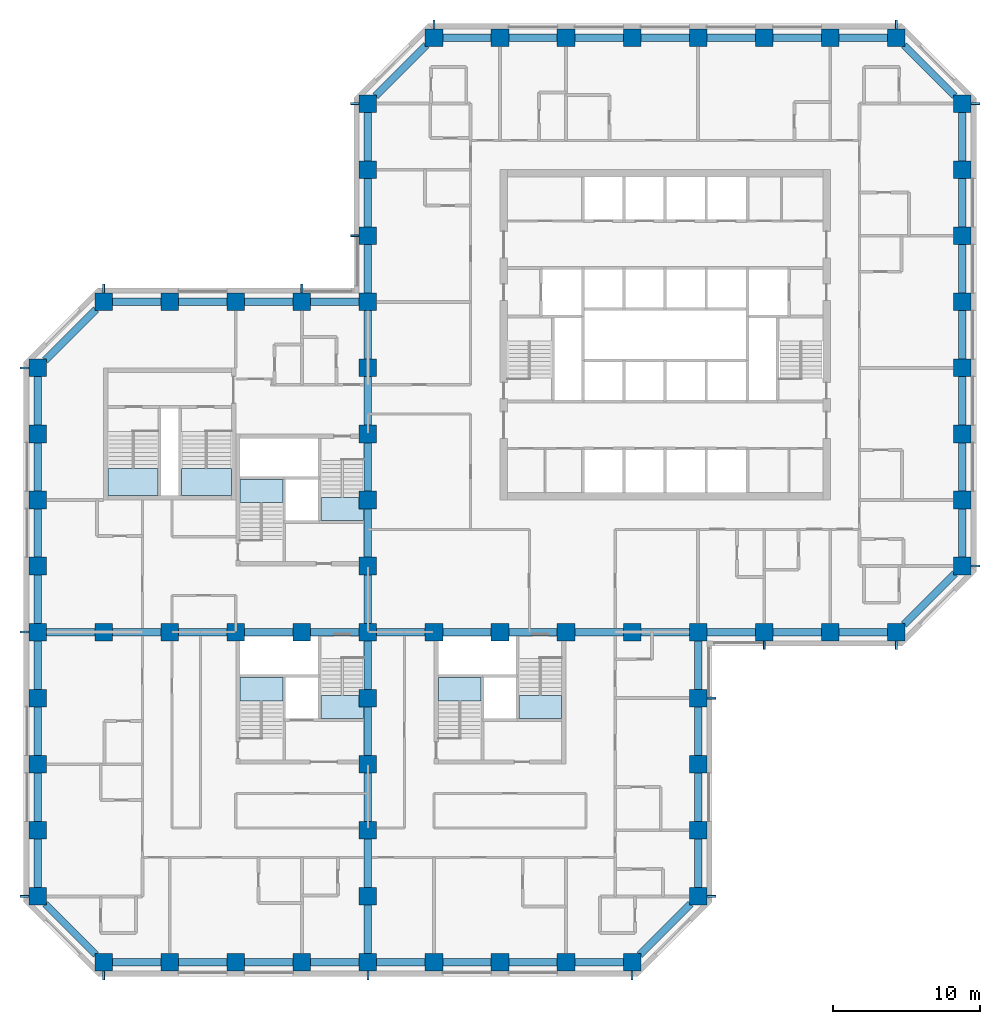
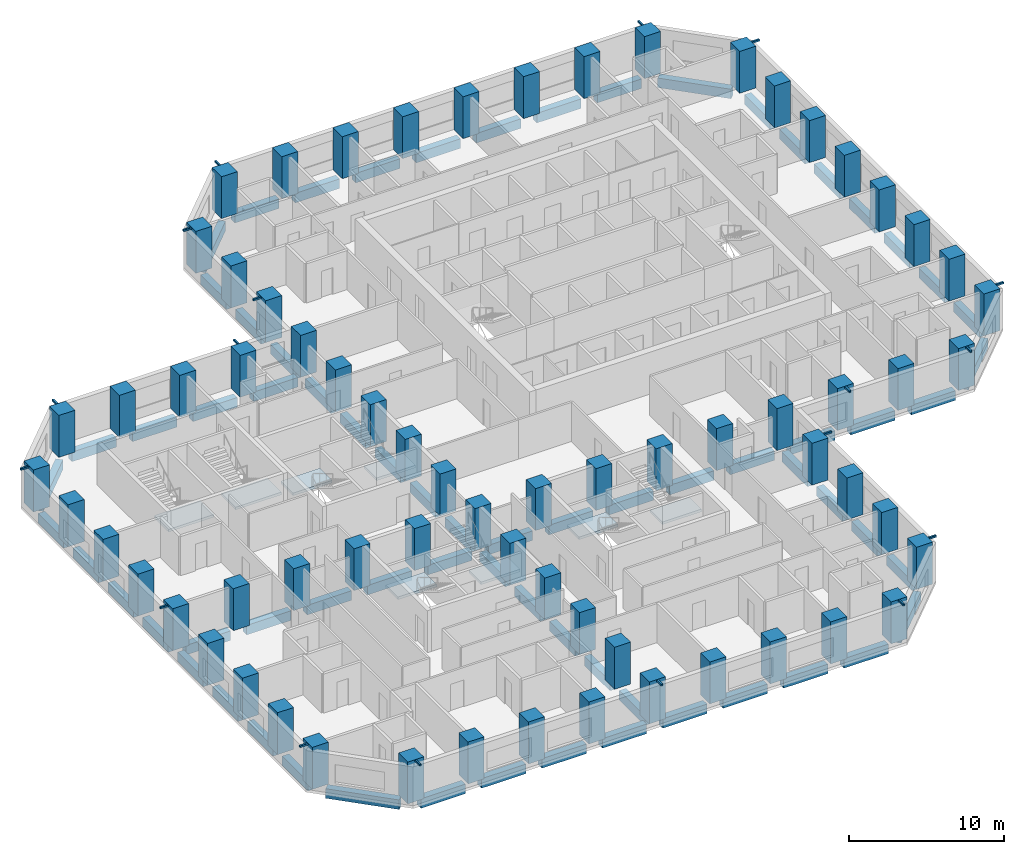
# One storey, part 1 of 13: 88 beams, 67 columns, 8 slabs, 8 elements without a shape of their own.
"""IFC4 building model written with IfcOpenShell, lengths in metres."""

import ifcopenshell
import ifcopenshell.guid

model = None  # the IFC model being written
_history = None  # IfcOwnerHistory: only IFC2X3 demands one
_inside = {}  # id of a spatial element -> (the spatial element, [elements in it])
_under = {}  # id of a project, library or spatial element -> (it, [spatial elements below it])
_declared = {}  # id of a project -> (the project, [libraries it declares])
_typed = {}  # id of a type object -> (the type object, [elements of that type])
_made_of = {}  # id of a material, layer set ... -> (it, [elements and type objects made of it])


def new_model(schema):
    """Start an empty IFC model of exactly this schema.

    Asked for "IFC4X3", IfcOpenShell would pick the latest addendum, in which some entities
    have other attributes; the version numbers below select the first issue.
    IFC2X3 requires an IfcOwnerHistory on every rooted entity: one is made here for all.
    """
    global model, _history
    if schema == "IFC4X3":
        model = ifcopenshell.file(schema_version=(4, 3, 0, 0))
    else:
        model = ifcopenshell.file(schema=schema)
    _inside.clear()
    _under.clear()
    _declared.clear()
    _typed.clear()
    _made_of.clear()
    _history = None
    if model.schema == "IFC2X3":
        org = make("IfcOrganization", Name="unknown")
        user = make(
            "IfcPersonAndOrganization",
            ThePerson=make("IfcPerson", FamilyName="unknown"),
            TheOrganization=org,
        )
        app = make(
            "IfcApplication",
            ApplicationDeveloper=org,
            Version="unknown",
            ApplicationFullName="unknown",
            ApplicationIdentifier="unknown",
        )
        _history = make(
            "IfcOwnerHistory",
            OwningUser=user,
            OwningApplication=app,
            ChangeAction="ADDED",
            CreationDate=0,
        )
    return model


def make(cls, **values):
    """One entity of the class cls with the attributes given. An attribute that is None is left unset."""
    return model.create_entity(
        cls, **{name: value for name, value in values.items() if value is not None}
    )


def rooted(cls, **values):
    """An entity with a GlobalId (a new one), such as an element, a storey or a relation."""
    return make(cls, GlobalId=ifcopenshell.guid.new(), OwnerHistory=_history, **values)


def si_unit(unit_type, name, prefix=None):
    """IfcSIUnit, for example si_unit("LENGTHUNIT", "METRE", prefix="MILLI")."""
    return make("IfcSIUnit", UnitType=unit_type, Prefix=prefix, Name=name)


def assignment(units):
    """IfcUnitAssignment: the units of a project."""
    return None if units is None else make("IfcUnitAssignment", Units=units)


def point(xyz):
    """IfcCartesianPoint."""
    return None if xyz is None else make("IfcCartesianPoint", Coordinates=xyz)


def direction(xyz):
    """IfcDirection."""
    return None if xyz is None else make("IfcDirection", DirectionRatios=xyz)


def frame(location, z_axis=None, x_axis=None):
    """IfcAxis2Placement3D, a coordinate frame: its origin and axes. An axis left out is left unset."""
    return make(
        "IfcAxis2Placement3D",
        Location=point(location),
        Axis=direction(z_axis),
        RefDirection=direction(x_axis),
    )


def frame_2d(location, x_axis=None):
    """IfcAxis2Placement2D, a coordinate frame in the plane: its origin and x axis."""
    return make(
        "IfcAxis2Placement2D", Location=point(location), RefDirection=direction(x_axis)
    )


def origin():
    """The frame at (0, 0, 0) with its axes left unset."""
    return frame((0.0, 0.0, 0.0))


def origin_2d():
    """The frame at (0, 0) in the plane with its x axis left unset."""
    return frame_2d((0.0, 0.0))


def place(relative_to, where):
    """IfcLocalPlacement: puts the frame where relative to a parent placement (None: the world)."""
    return make(
        "IfcLocalPlacement", PlacementRelTo=relative_to, RelativePlacement=where
    )


def context(
    kind, dimensions, precision=None, world=None, true_north=None, identifier=None
):
    """IfcGeometricRepresentationContext, for example the 3D "Model" context."""
    return make(
        "IfcGeometricRepresentationContext",
        ContextIdentifier=identifier,
        ContextType=kind,
        CoordinateSpaceDimension=dimensions,
        Precision=precision,
        WorldCoordinateSystem=world,
        TrueNorth=true_north,
    )


def subcontext(parent, identifier, kind, view, scale=None):
    """IfcGeometricRepresentationSubContext, for example "Body" below "Model"."""
    return make(
        "IfcGeometricRepresentationSubContext",
        ContextIdentifier=identifier,
        ContextType=kind,
        ParentContext=parent,
        TargetScale=scale,
        TargetView=view,
    )


def project(units=None, contexts=None):
    """IfcProject with its units and contexts."""
    return rooted(
        "IfcProject",
        Name="project",
        RepresentationContexts=contexts,
        UnitsInContext=assignment(units),
    )


def spatial(cls, under=None, at=None, **own):
    """A site, building, storey or space (cls), placed at a placement, below another one or the project."""
    s = rooted(cls, ObjectPlacement=at, **own)
    if under is not None:
        _under.setdefault(under.id(), (under, []))[1].append(s)
    return s


def polyline(points):
    """IfcPolyline through the points."""
    return make("IfcPolyline", Points=[point(p) for p in points])


def profile(cls, at=None, kind="AREA", **sizes):
    """A parametric profile (cls). Its sizes go by their IFC names, for example OverallWidth=200.0."""
    return make(cls, ProfileType=kind, Position=at, **sizes)


def rectangle(**sizes):
    """IfcRectangleProfileDef."""
    return profile("IfcRectangleProfileDef", **sizes)


def hollow_rectangle(**sizes):
    """IfcRectangleHollowProfileDef."""
    return profile("IfcRectangleHollowProfileDef", **sizes)


def outline(outer, holes=None, kind="AREA"):
    """IfcArbitraryClosedProfileDef: a profile drawn as a closed curve; with holes, ...WithVoids."""
    if holes is None:
        return make("IfcArbitraryClosedProfileDef", ProfileType=kind, OuterCurve=outer)
    return make(
        "IfcArbitraryProfileDefWithVoids",
        ProfileType=kind,
        OuterCurve=outer,
        InnerCurves=holes,
    )


def extrude(swept, where, along, depth):
    """IfcExtrudedAreaSolid: the profile swept, set in the frame where, extruded along a direction by depth."""
    return make(
        "IfcExtrudedAreaSolid",
        SweptArea=swept,
        Position=where,
        ExtrudedDirection=direction(along),
        Depth=depth,
    )


def shape(context_of_items, identifier, shape_type, items):
    """IfcShapeRepresentation: the items that make up one representation, for example the "Body"."""
    return make(
        "IfcShapeRepresentation",
        ContextOfItems=context_of_items,
        RepresentationIdentifier=identifier,
        RepresentationType=shape_type,
        Items=items,
    )


def material(Name=None, Category=None):
    """IfcMaterial."""
    return make("IfcMaterial", Name=Name, Category=Category)


def layer(
    of_material, thickness, ventilated=None, Name=None, Category=None, Priority=None
):
    """IfcMaterialLayer: one layer of a wall or slab, of a material (None: an air gap)."""
    return make(
        "IfcMaterialLayer",
        Material=of_material,
        LayerThickness=thickness,
        IsVentilated=ventilated,
        Name=Name,
        Category=Category,
        Priority=Priority,
    )


def layer_set(layers, Name=None):
    """IfcMaterialLayerSet."""
    return make("IfcMaterialLayerSet", MaterialLayers=layers, LayerSetName=Name)


def material_profile(
    of_material, cross_section, Name=None, Category=None, Priority=None
):
    """IfcMaterialProfile: a cross section and its material."""
    return make(
        "IfcMaterialProfile",
        Name=Name,
        Material=of_material,
        Profile=cross_section,
        Priority=Priority,
        Category=Category,
    )


def profile_set(profiles, Name=None, composite=None):
    """IfcMaterialProfileSet."""
    return make(
        "IfcMaterialProfileSet",
        Name=Name,
        MaterialProfiles=profiles,
        CompositeProfile=composite,
    )


def made_of(thing, what):
    """Note that an element or type object is made of a material, layer set ...; save() writes the relation."""
    if what is not None:
        _made_of.setdefault(what.id(), (what, []))[1].append(thing)
    return thing


def type_object(cls, material=None, **own):
    """A type object (cls), such as IfcWallType, which elements share."""
    return made_of(rooted(cls, **own), material)


def element(
    cls,
    number,
    at=None,
    inside=None,
    cuts=None,
    type_object=None,
    material=None,
    context=None,
    identifier="Body",
    shape_type=None,
    held_by="IfcProductDefinitionShape",
    body=None,
    shapes=None,
    **own,
):
    """One element of the class cls, such as IfcWall. Its Tag is "e" and its number.

    at: its placement. inside: the storey or other place that contains it. cuts: it is an
    opening in that element (IfcRelVoidsElement). A single representation is given by context,
    identifier, shape_type and body (its items); several are given by shapes. held_by: the class
    of the entity that holds the representations. save() writes the other relations.
    """
    e = rooted(cls, Tag="e%d" % number, ObjectPlacement=at, **own)
    if body is not None:
        shapes = [shape(context, identifier, shape_type, body)]
    if shapes is not None:
        e.Representation = make(held_by, Representations=shapes)
    if inside is not None:
        _inside.setdefault(inside.id(), (inside, []))[1].append(e)
    if cuts is not None:
        rooted(
            "IfcRelVoidsElement", RelatingBuildingElement=cuts, RelatedOpeningElement=e
        )
    if type_object is not None:
        _typed.setdefault(type_object.id(), (type_object, []))[1].append(e)
    return made_of(e, material)


def aggregate(whole, parts):
    """IfcRelAggregates: a whole, such as a stair, and the parts it consists of."""
    return rooted("IfcRelAggregates", RelatingObject=whole, RelatedObjects=parts)


def save(model, path):
    """Write the relations noted so far, then the file.

    IfcRelAggregates (storeys below a building ...), IfcRelContainedInSpatialStructure (elements
    in a storey), IfcRelDefinesByType, IfcRelAssociatesMaterial and IfcRelDeclares: one each for
    every whole, place, type object, material and project.
    """
    for whole, parts in _under.values():
        aggregate(whole, parts)
    for where, things in _inside.values():
        rooted(
            "IfcRelContainedInSpatialStructure",
            RelatedElements=things,
            RelatingStructure=where,
        )
    for kind, things in _typed.values():
        rooted("IfcRelDefinesByType", RelatedObjects=things, RelatingType=kind)
    for what, things in _made_of.values():
        rooted("IfcRelAssociatesMaterial", RelatedObjects=things, RelatingMaterial=what)
    for by, libraries in _declared.values():
        rooted("IfcRelDeclares", RelatingContext=by, RelatedDefinitions=libraries)
    model.write(path)


model = new_model("IFC4")

# Units and contexts
model_context = context("Model", 3, precision=1e-05, world=origin(), true_north=direction((0.0, 1.0)))
body_context = subcontext(model_context, "Body", "Model", "MODEL_VIEW")
ifc_project = project(units=[si_unit("LENGTHUNIT", "METRE"), si_unit("AREAUNIT", "SQUARE_METRE"), si_unit("VOLUMEUNIT", "CUBIC_METRE"), si_unit("PLANEANGLEUNIT", "RADIAN"), si_unit("MASSUNIT", "GRAM", prefix="KILO")], contexts=[model_context])

# Site, building, storey
site_placement = place(None, origin())
site = spatial("IfcSite", under=ifc_project, at=site_placement, CompositionType="ELEMENT")
building_placement = place(site_placement, origin())
building = spatial("IfcBuilding", under=site, at=building_placement, Name="Quoin Convention Tower", CompositionType="ELEMENT")
storey_placement = place(building_placement, frame((0.0, 0.0, 62.699951171875)))
storey = spatial("IfcBuildingStorey", under=building, at=storey_placement, Name="L16", CompositionType="ELEMENT", Elevation=62.699951171875)

# Columns
ifc_material_1 = material(Name="Concrete C80", Category="concrete")
ifc_material_profile_1 = material_profile(ifc_material_1, rectangle(XDim=1.199951171875, YDim=1.199951171875, at=origin_2d()), Name="RC 1200x1200")
ifc_profile_set_1 = profile_set([ifc_material_profile_1], Name="Concrete C80")
column_type = type_object("IfcColumnType", Name="RC 1200x1200 C80", PredefinedType="COLUMN", material=ifc_profile_set_1)
for number, where, z_axis, x_axis, name in (
    (1, (18.0, 18.0, 0.0), (0.0, 0.0, 1.0), (1.0, 0.0, 0.0), "col-L16-18000_18000"),
    (2, (22.5, 18.0, 0.0), (0.0, 0.0, 1.0), (1.0, 0.0, 0.0), "col-L16-22500_18000"),
    (3, (27.0, 18.0, 0.0), (0.0, 0.0, 1.0), (1.0, 0.0, 0.0), "col-L16-27000_18000"),
    (4, (31.5, 18.0, 0.0), (0.0, 0.0, 1.0), (1.0, 0.0, 0.0), "col-L16-31500_18000"),
    (5, (36.0, 18.0, 0.0), (0.0, 0.0, 1.0), (1.0, 0.0, 0.0), "col-L16-36000_18000"),
    (6, (40.5, 18.0, 0.0), (0.0, 0.0, 1.0), (1.0, 0.0, 0.0), "col-L16-40500_18000"),
    (7, (45.0, 18.0, 0.0), (0.0, 0.0, 1.0), (1.0, 0.0, 0.0), "col-L16-45000_18000"),
    (8, (49.5, 18.0, 0.0), (0.0, 0.0, 1.0), (1.0, 0.0, 0.0), "col-L16-49500_18000"),
    (9, (54.0, 18.0, 0.0), (0.0, 0.0, 1.0), (1.0, 0.0, 0.0), "col-L16-54000_18000"),
    (10, (13.5, 22.5, 0.0), (0.0, 0.0, 1.0), (1.0, 0.0, 0.0), "col-L16-13500_22500"),
    (11, (36.0, 22.5, 0.0), (0.0, 0.0, 1.0), (1.0, 0.0, 0.0), "web-L16-36000_22500"),
    (12, (58.5, 22.5, 0.0), (0.0, 0.0, 1.0), (1.0, 0.0, 0.0), "col-L16-58500_22500"),
    (13, (13.5, 27.0, 0.0), (0.0, 0.0, 1.0), (1.0, 0.0, 0.0), "col-L16-13500_27000"),
    (14, (36.0, 27.0, 0.0), (0.0, 0.0, 1.0), (1.0, 0.0, 0.0), "web-L16-36000_27000"),
    (15, (58.5, 27.0, 0.0), (0.0, 0.0, 1.0), (1.0, 0.0, 0.0), "col-L16-58500_27000"),
    (16, (13.5, 31.5, 0.0), (0.0, 0.0, 1.0), (1.0, 0.0, 0.0), "col-L16-13500_31500"),
    (17, (36.0, 31.5, 0.0), (0.0, 0.0, 1.0), (1.0, 0.0, 0.0), "web-L16-36000_31500"),
    (18, (58.5, 31.5, 0.0), (0.0, 0.0, 1.0), (1.0, 0.0, 0.0), "col-L16-58500_31500"),
    (19, (13.5, 36.0, 0.0), (0.0, 0.0, 1.0), (1.0, 0.0, 0.0), "col-L16-13500_36000"),
    (20, (36.0, 36.0, 0.0), (0.0, 0.0, 1.0), (1.0, 0.0, 0.0), "web-L16-36000_36000"),
    (21, (58.5, 36.0, 0.0), (0.0, 0.0, 1.0), (1.0, 0.0, 0.0), "col-L16-58500_36000"),
    (22, (13.5, 40.5, 0.0), (0.0, 0.0, 1.0), (1.0, 0.0, 0.0), "col-L16-13500_40500"),
    (23, (18.0, 40.5, 0.0), (0.0, 0.0, 1.0), (1.0, 0.0, 0.0), "web-L16-18000_40500"),
    (24, (22.5, 40.5, 0.0), (0.0, 0.0, 1.0), (1.0, 0.0, 0.0), "web-L16-22500_40500"),
    (25, (27.0, 40.5, 0.0), (0.0, 0.0, 1.0), (1.0, 0.0, 0.0), "web-L16-27000_40500"),
    (26, (31.5, 40.5, 0.0), (0.0, 0.0, 1.0), (1.0, 0.0, 0.0), "web-L16-31500_40500"),
    (27, (36.0, 40.5, 0.0), (0.0, 0.0, 1.0), (1.0, 0.0, 0.0), "web-L16-36000_40500"),
    (28, (40.5, 40.5, 0.0), (0.0, 0.0, 1.0), (1.0, 0.0, 0.0), "web-L16-40500_40500"),
    (29, (45.0, 40.5, 0.0), (0.0, 0.0, 1.0), (1.0, 0.0, 0.0), "web-L16-45000_40500"),
    (30, (49.5, 40.5, 0.0), (0.0, 0.0, 1.0), (1.0, 0.0, 0.0), "web-L16-49500_40500"),
    (31, (54.0, 40.5, 0.0), (0.0, 0.0, 1.0), (1.0, 0.0, 0.0), "web-L16-54000_40500"),
    (32, (58.5, 40.5, 0.0), (0.0, 0.0, 1.0), (1.0, 0.0, 0.0), "col-L16-58500_40500"),
    (33, (63.0, 40.5, 0.0), (0.0, 0.0, 1.0), (1.0, 0.0, 0.0), "col-L16-63000_40500"),
    (34, (67.5, 40.5, 0.0), (0.0, 0.0, 1.0), (1.0, 0.0, 0.0), "col-L16-67500_40500"),
    (35, (72.0, 40.5, 0.0), (0.0, 0.0, 1.0), (1.0, 0.0, 0.0), "col-L16-72000_40500"),
    (36, (13.5, 45.0, 0.0), (0.0, 0.0, 1.0), (1.0, 0.0, 0.0), "col-L16-13500_45000"),
    (37, (36.0, 45.0, 0.0), (0.0, 0.0, 1.0), (1.0, 0.0, 0.0), "web-L16-36000_45000"),
    (38, (76.5, 45.0, 0.0), (0.0, 0.0, 1.0), (1.0, 0.0, 0.0), "col-L16-76500_45000"),
    (39, (13.5, 49.5, 0.0), (0.0, 0.0, 1.0), (1.0, 0.0, 0.0), "col-L16-13500_49500"),
    (40, (36.0, 49.5, 0.0), (0.0, 0.0, 1.0), (1.0, 0.0, 0.0), "web-L16-36000_49500"),
    (41, (76.5, 49.5, 0.0), (0.0, 0.0, 1.0), (1.0, 0.0, 0.0), "col-L16-76500_49500"),
    (42, (13.5, 54.0, 0.0), (0.0, 0.0, 1.0), (1.0, 0.0, 0.0), "col-L16-13500_54000"),
    (43, (36.0, 54.0, 0.0), (0.0, 0.0, 1.0), (1.0, 0.0, 0.0), "web-L16-36000_54000"),
    (44, (76.5, 54.0, 0.0), (0.0, 0.0, 1.0), (1.0, 0.0, 0.0), "col-L16-76500_54000"),
    (45, (13.5, 58.5, 0.0), (0.0, 0.0, 1.0), (1.0, 0.0, 0.0), "col-L16-13500_58500"),
    (46, (36.0, 58.5, 0.0), (0.0, 0.0, 1.0), (1.0, 0.0, 0.0), "web-L16-36000_58500"),
    (47, (76.5, 58.5, 0.0), (0.0, 0.0, 1.0), (1.0, 0.0, 0.0), "col-L16-76500_58500"),
    (48, (18.0, 63.0, 0.0), (0.0, 0.0, 1.0), (1.0, 0.0, 0.0), "col-L16-18000_63000"),
    (49, (22.5, 63.0, 0.0), (0.0, 0.0, 1.0), (1.0, 0.0, 0.0), "col-L16-22500_63000"),
    (50, (27.0, 63.0, 0.0), (0.0, 0.0, 1.0), (1.0, 0.0, 0.0), "col-L16-27000_63000"),
    (51, (31.5, 63.0, 0.0), (0.0, 0.0, 1.0), (1.0, 0.0, 0.0), "col-L16-31500_63000"),
    (52, (36.0, 63.0, 0.0), (0.0, 0.0, 1.0), (1.0, 0.0, 0.0), "col-L16-36000_63000"),
    (53, (76.5, 63.0, 0.0), (0.0, 0.0, 1.0), (1.0, 0.0, 0.0), "col-L16-76500_63000"),
    (54, (36.0, 67.5, 0.0), (0.0, 0.0, 1.0), (1.0, 0.0, 0.0), "col-L16-36000_67500"),
    (55, (76.5, 67.5, 0.0), (0.0, 0.0, 1.0), (1.0, 0.0, 0.0), "col-L16-76500_67500"),
    (56, (36.0, 72.0, 0.0), (0.0, 0.0, 1.0), (1.0, 0.0, 0.0), "col-L16-36000_72000"),
    (57, (76.5, 72.0, 0.0), (0.0, 0.0, 1.0), (1.0, 0.0, 0.0), "col-L16-76500_72000"),
    (58, (36.0, 76.5, 0.0), (0.0, 0.0, 1.0), (1.0, 0.0, 0.0), "col-L16-36000_76500"),
    (59, (76.5, 76.5, 0.0), (0.0, 0.0, 1.0), (1.0, 0.0, 0.0), "col-L16-76500_76500"),
    (60, (40.5, 81.0, 0.0), (0.0, 0.0, 1.0), (1.0, 0.0, 0.0), "col-L16-40500_81000"),
    (61, (45.0, 81.0, 0.0), (0.0, 0.0, 1.0), (1.0, 0.0, 0.0), "col-L16-45000_81000"),
    (62, (49.5, 81.0, 0.0), (0.0, 0.0, 1.0), (1.0, 0.0, 0.0), "col-L16-49500_81000"),
    (63, (54.0, 81.0, 0.0), (0.0, 0.0, 1.0), (1.0, 0.0, 0.0), "col-L16-54000_81000"),
    (64, (58.5, 81.0, 0.0), (0.0, 0.0, 1.0), (1.0, 0.0, 0.0), "col-L16-58500_81000"),
    (65, (63.0, 81.0, 0.0), (0.0, 0.0, 1.0), (1.0, 0.0, 0.0), "col-L16-63000_81000"),
    (66, (67.5, 81.0, 0.0), (0.0, 0.0, 1.0), (1.0, 0.0, 0.0), "col-L16-67500_81000"),
    (67, (72.0, 81.0, 0.0), (0.0, 0.0, 1.0), (1.0, 0.0, 0.0), "col-L16-72000_81000"),
):
    element("IfcColumn", number, at=place(storey_placement, frame(where, z_axis=z_axis, x_axis=x_axis)), inside=storey, type_object=column_type, Name=name, PredefinedType="COLUMN", context=body_context, shape_type="SweptSolid", body=[
        extrude(rectangle(XDim=1.199951171875, YDim=1.199951171875, at=origin_2d()), origin(), (0.0, 0.0, 1.0), 3.300048828125),
    ])

# Beams
ifc_material_2 = material(Name="Steel C450L0", Category="steel")
ifc_material_profile_2 = material_profile(ifc_material_2, hollow_rectangle(XDim=0.14990234375, YDim=0.14990234375, WallThickness=0.008056640625, InnerFilletRadius=0.011962890625, OuterFilletRadius=0.02001953125, at=origin_2d()), Name="150x150x8.0SHS")
ifc_profile_set_2 = profile_set([ifc_material_profile_2], Name="Steel C450L0")
beam_type_1 = type_object("IfcBeamType", Name="150x150x8.0SHS", PredefinedType="BEAM", material=ifc_profile_set_2)
for number, where, z_axis, x_axis, name in (
    (68, (12.89990234375, 40.5, 3.22509765625), (-1.0, 0.0, 0.0), (0.0, -1.0, 0.0), "brk-hi-L13-13500_40500-13500_36000"),
    (69, (12.89990234375, 22.5, 3.22509765625), (-1.0, 0.0, 0.0), (0.0, -1.0, 0.0), "brk-hi-L13-13500_27000-13500_22500"),
    (70, (12.89990234375, 58.5, 3.22509765625), (-1.0, 0.0, 0.0), (0.0, -1.0, 0.0), "brk-hi-L13-13500_58500-13500_54000"),
    (71, (18.0, 17.39990234375, 3.22509765625), (0.0, -1.0, 0.0), (1.0, 0.0, 0.0), "brk-hi-L13-18000_18000-22500_18000"),
    (72, (36.0, 17.39990234375, 3.22509765625), (0.0, -1.0, 0.0), (1.0, 0.0, 0.0), "brk-hi-L13-31500_18000-36000_18000"),
    (73, (54.0, 17.39990234375, 3.22509765625), (0.0, -1.0, 0.0), (1.0, 0.0, 0.0), "brk-hi-L13-49500_18000-54000_18000"),
    (74, (31.5, 63.60009765625, 3.22509765625), (0.0, 1.0, 0.0), (-1.0, 0.0, 0.0), "brk-hi-L13-31500_63000-27000_63000"),
    (75, (18.0, 63.60009765625, 3.22509765625), (0.0, 1.0, 0.0), (-1.0, 0.0, 0.0), "brk-hi-L13-22500_63000-18000_63000"),
    (76, (35.39990234375, 76.5, 3.22509765625), (-1.0, 0.0, 0.0), (0.0, -1.0, 0.0), "brk-hi-L13-36000_76500-36000_72000"),
    (77, (35.39990234375, 67.5, 3.22509765625), (-1.0, 0.0, 0.0), (0.0, -1.0, 0.0), "brk-hi-L13-36000_72000-36000_67500"),
    (78, (59.10009765625, 22.5, 3.22509765625), (1.0, 0.0, 0.0), (0.0, 1.0, 0.0), "brk-hi-L13-58500_22500-58500_27000"),
    (79, (59.10009765625, 36.0, 3.22509765625), (1.0, 0.0, 0.0), (0.0, 1.0, 0.0), "brk-hi-L13-58500_31500-58500_36000"),
    (80, (63.0, 39.89990234375, 3.22509765625), (0.0, -1.0, 0.0), (1.0, 0.0, 0.0), "brk-hi-L13-63000_40500-67500_40500"),
    (81, (72.0, 39.89990234375, 3.22509765625), (0.0, -1.0, 0.0), (1.0, 0.0, 0.0), "brk-hi-L13-67500_40500-72000_40500"),
    (82, (72.0, 81.60009765625, 3.22509765625), (0.0, 1.0, 0.0), (-1.0, 0.0, 0.0), "brk-hi-L13-72000_81000-67500_81000"),
    (83, (40.5, 81.60009765625, 3.22509765625), (0.0, 1.0, 0.0), (-1.0, 0.0, 0.0), "brk-hi-L13-45000_81000-40500_81000"),
    (84, (77.10009765625, 45.0, 3.22509765625), (1.0, 0.0, 0.0), (0.0, 1.0, 0.0), "brk-hi-L13-76500_45000-76500_49500"),
    (85, (77.10009765625, 76.5, 3.22509765625), (1.0, 0.0, 0.0), (0.0, 1.0, 0.0), "brk-hi-L13-76500_72000-76500_76500"),
):
    element("IfcBeam", number, at=place(storey_placement, frame(where, z_axis=z_axis, x_axis=x_axis)), inside=storey, type_object=beam_type_1, Name=name, PredefinedType="BEAM", context=body_context, shape_type="SweptSolid", body=[
        extrude(hollow_rectangle(XDim=0.14990234375, YDim=0.14990234375, WallThickness=0.008056640625, InnerFilletRadius=0.011962890625, OuterFilletRadius=0.02001953125, at=origin_2d()), origin(), (0.0, 0.0, 1.0), 0.599853515625),
    ])
ifc_material_profile_3 = material_profile(ifc_material_1, rectangle(XDim=0.5, YDim=0.75, at=origin_2d()), Name="RC 500x750")
ifc_profile_set_3 = profile_set([ifc_material_profile_3], Name="Concrete C80")
beam_type_2 = type_object("IfcBeamType", Name="RC 500x750 C80", PredefinedType="SPANDREL", material=ifc_profile_set_3)
beam_1_placement = place(storey_placement, frame((14.01513671875, 21.98486328125, -0.594970703125), z_axis=(0.707106781187, -0.707106781187, 0.0), x_axis=(0.707106781187, 0.707106781187, 0.0)))
element("IfcBeam", 86, at=beam_1_placement, inside=storey, type_object=beam_type_2, Name="spd-L16-13500_22500-18000_18000", PredefinedType="SPANDREL", context=body_context, shape_type="SweptSolid", body=[
    extrude(rectangle(XDim=0.5, YDim=0.75, at=origin_2d()), origin(), (0.0, 0.0, 1.0), 4.906982421875),
])
for number, where, z_axis, x_axis, name in (
    (87, (18.60009765625, 18.0, -0.594970703125), (1.0, 0.0, 0.0), (0.0, 1.0, 0.0), "spd-L16-18000_18000-22500_18000"),
    (88, (23.10009765625, 18.0, -0.594970703125), (1.0, 0.0, 0.0), (0.0, 1.0, 0.0), "spd-L16-22500_18000-27000_18000"),
    (89, (27.60009765625, 18.0, -0.594970703125), (1.0, 0.0, 0.0), (0.0, 1.0, 0.0), "spd-L16-27000_18000-31500_18000"),
    (90, (32.10009765625, 18.0, -0.594970703125), (1.0, 0.0, 0.0), (0.0, 1.0, 0.0), "spd-L16-31500_18000-36000_18000"),
    (91, (36.60009765625, 18.0, -0.594970703125), (1.0, 0.0, 0.0), (0.0, 1.0, 0.0), "spd-L16-36000_18000-40500_18000"),
    (92, (41.10009765625, 18.0, -0.594970703125), (1.0, 0.0, 0.0), (0.0, 1.0, 0.0), "spd-L16-40500_18000-45000_18000"),
    (93, (45.60009765625, 18.0, -0.594970703125), (1.0, 0.0, 0.0), (0.0, 1.0, 0.0), "spd-L16-45000_18000-49500_18000"),
    (94, (50.10009765625, 18.0, -0.594970703125), (1.0, 0.0, 0.0), (0.0, 1.0, 0.0), "spd-L16-49500_18000-54000_18000"),
):
    element("IfcBeam", number, at=place(storey_placement, frame(where, z_axis=z_axis, x_axis=x_axis)), inside=storey, type_object=beam_type_2, Name=name, PredefinedType="SPANDREL", context=body_context, shape_type="SweptSolid", body=[
        extrude(rectangle(XDim=0.5, YDim=0.75, at=origin_2d()), origin(), (0.0, 0.0, 1.0), 3.2998046875),
    ])
beam_2_placement = place(storey_placement, frame((54.51513671875, 18.51513671875, -0.594970703125), z_axis=(0.707106781187, 0.707106781187, 0.0), x_axis=(-0.707106781187, 0.707106781187, 0.0)))
element("IfcBeam", 95, at=beam_2_placement, inside=storey, type_object=beam_type_2, Name="spd-L16-54000_18000-58500_22500", PredefinedType="SPANDREL", context=body_context, shape_type="SweptSolid", body=[
    extrude(rectangle(XDim=0.5, YDim=0.75, at=origin_2d()), origin(), (0.0, 0.0, 1.0), 4.906982421875),
])
for number, where, z_axis, x_axis, name in (
    (96, (58.5, 23.10009765625, -0.594970703125), (0.0, 1.0, 0.0), (-1.0, 0.0, 0.0), "spd-L16-58500_22500-58500_27000"),
    (97, (58.5, 27.60009765625, -0.594970703125), (0.0, 1.0, 0.0), (-1.0, 0.0, 0.0), "spd-L16-58500_27000-58500_31500"),
    (98, (58.5, 32.10009765625, -0.594970703125), (0.0, 1.0, 0.0), (-1.0, 0.0, 0.0), "spd-L16-58500_31500-58500_36000"),
    (99, (58.5, 36.60009765625, -0.594970703125), (0.0, 1.0, 0.0), (-1.0, 0.0, 0.0), "spd-L16-58500_36000-58500_40500"),
    (100, (59.10009765625, 40.5, -0.594970703125), (1.0, 0.0, 0.0), (0.0, 1.0, 0.0), "spd-L16-58500_40500-63000_40500"),
    (101, (63.60009765625, 40.5, -0.594970703125), (1.0, 0.0, 0.0), (0.0, 1.0, 0.0), "spd-L16-63000_40500-67500_40500"),
    (102, (68.10009765625, 40.5, -0.594970703125), (1.0, 0.0, 0.0), (0.0, 1.0, 0.0), "spd-L16-67500_40500-72000_40500"),
):
    element("IfcBeam", number, at=place(storey_placement, frame(where, z_axis=z_axis, x_axis=x_axis)), inside=storey, type_object=beam_type_2, Name=name, PredefinedType="SPANDREL", context=body_context, shape_type="SweptSolid", body=[
        extrude(rectangle(XDim=0.5, YDim=0.75, at=origin_2d()), origin(), (0.0, 0.0, 1.0), 3.2998046875),
    ])
beam_3_placement = place(storey_placement, frame((72.51513671875, 41.01513671875, -0.594970703125), z_axis=(0.707106781187, 0.707106781187, 0.0), x_axis=(-0.707106781187, 0.707106781187, 0.0)))
element("IfcBeam", 103, at=beam_3_placement, inside=storey, type_object=beam_type_2, Name="spd-L16-72000_40500-76500_45000", PredefinedType="SPANDREL", context=body_context, shape_type="SweptSolid", body=[
    extrude(rectangle(XDim=0.5, YDim=0.75, at=origin_2d()), origin(), (0.0, 0.0, 1.0), 4.906982421875),
])
for number, where, z_axis, x_axis, name in (
    (104, (76.5, 45.60009765625, -0.594970703125), (0.0, 1.0, 0.0), (-1.0, 0.0, 0.0), "spd-L16-76500_45000-76500_49500"),
    (105, (76.5, 50.10009765625, -0.594970703125), (0.0, 1.0, 0.0), (-1.0, 0.0, 0.0), "spd-L16-76500_49500-76500_54000"),
    (106, (76.5, 54.60009765625, -0.594970703125), (0.0, 1.0, 0.0), (-1.0, 0.0, 0.0), "spd-L16-76500_54000-76500_58500"),
    (107, (76.5, 59.10009765625, -0.594970703125), (0.0, 1.0, 0.0), (-1.0, 0.0, 0.0), "spd-L16-76500_58500-76500_63000"),
    (108, (76.5, 63.60009765625, -0.594970703125), (0.0, 1.0, 0.0), (-1.0, 0.0, 0.0), "spd-L16-76500_63000-76500_67500"),
    (109, (76.5, 68.10009765625, -0.594970703125), (0.0, 1.0, 0.0), (-1.0, 0.0, 0.0), "spd-L16-76500_67500-76500_72000"),
    (110, (76.5, 72.60009765625, -0.594970703125), (0.0, 1.0, 0.0), (-1.0, 0.0, 0.0), "spd-L16-76500_72000-76500_76500"),
):
    element("IfcBeam", number, at=place(storey_placement, frame(where, z_axis=z_axis, x_axis=x_axis)), inside=storey, type_object=beam_type_2, Name=name, PredefinedType="SPANDREL", context=body_context, shape_type="SweptSolid", body=[
        extrude(rectangle(XDim=0.5, YDim=0.75, at=origin_2d()), origin(), (0.0, 0.0, 1.0), 3.2998046875),
    ])
beam_4_placement = place(storey_placement, frame((75.98486328125, 77.01513671875, -0.594970703125), z_axis=(-0.707106781187, 0.707106781187, 0.0), x_axis=(-0.707106781187, -0.707106781187, 0.0)))
element("IfcBeam", 111, at=beam_4_placement, inside=storey, type_object=beam_type_2, Name="spd-L16-76500_76500-72000_81000", PredefinedType="SPANDREL", context=body_context, shape_type="SweptSolid", body=[
    extrude(rectangle(XDim=0.5, YDim=0.75, at=origin_2d()), origin(), (0.0, 0.0, 1.0), 4.906982421875),
])
for number, where, z_axis, x_axis, name in (
    (112, (71.39990234375, 81.0, -0.594970703125), (-1.0, 0.0, 0.0), (0.0, -1.0, 0.0), "spd-L16-72000_81000-67500_81000"),
    (113, (66.89990234375, 81.0, -0.594970703125), (-1.0, 0.0, 0.0), (0.0, -1.0, 0.0), "spd-L16-67500_81000-63000_81000"),
    (114, (62.39990234375, 81.0, -0.594970703125), (-1.0, 0.0, 0.0), (0.0, -1.0, 0.0), "spd-L16-63000_81000-58500_81000"),
    (115, (57.89990234375, 81.0, -0.594970703125), (-1.0, 0.0, 0.0), (0.0, -1.0, 0.0), "spd-L16-58500_81000-54000_81000"),
    (116, (53.39990234375, 81.0, -0.594970703125), (-1.0, 0.0, 0.0), (0.0, -1.0, 0.0), "spd-L16-54000_81000-49500_81000"),
    (117, (48.89990234375, 81.0, -0.594970703125), (-1.0, 0.0, 0.0), (0.0, -1.0, 0.0), "spd-L16-49500_81000-45000_81000"),
    (118, (44.39990234375, 81.0, -0.594970703125), (-1.0, 0.0, 0.0), (0.0, -1.0, 0.0), "spd-L16-45000_81000-40500_81000"),
):
    element("IfcBeam", number, at=place(storey_placement, frame(where, z_axis=z_axis, x_axis=x_axis)), inside=storey, type_object=beam_type_2, Name=name, PredefinedType="SPANDREL", context=body_context, shape_type="SweptSolid", body=[
        extrude(rectangle(XDim=0.5, YDim=0.75, at=origin_2d()), origin(), (0.0, 0.0, 1.0), 3.2998046875),
    ])
beam_5_placement = place(storey_placement, frame((39.98486328125, 80.48486328125, -0.594970703125), z_axis=(-0.707106781187, -0.707106781187, 0.0), x_axis=(0.707106781187, -0.707106781187, 0.0)))
element("IfcBeam", 119, at=beam_5_placement, inside=storey, type_object=beam_type_2, Name="spd-L16-40500_81000-36000_76500", PredefinedType="SPANDREL", context=body_context, shape_type="SweptSolid", body=[
    extrude(rectangle(XDim=0.5, YDim=0.75, at=origin_2d()), origin(), (0.0, 0.0, 1.0), 4.906982421875),
])
for number, where, z_axis, x_axis, name in (
    (120, (36.0, 75.89990234375, -0.594970703125), (0.0, -1.0, 0.0), (1.0, 0.0, 0.0), "spd-L16-36000_76500-36000_72000"),
    (121, (36.0, 71.39990234375, -0.594970703125), (0.0, -1.0, 0.0), (1.0, 0.0, 0.0), "spd-L16-36000_72000-36000_67500"),
    (122, (36.0, 66.89990234375, -0.594970703125), (0.0, -1.0, 0.0), (1.0, 0.0, 0.0), "spd-L16-36000_67500-36000_63000"),
    (123, (35.39990234375, 63.0, -0.594970703125), (-1.0, 0.0, 0.0), (0.0, -1.0, 0.0), "spd-L16-36000_63000-31500_63000"),
    (124, (30.89990234375, 63.0, -0.594970703125), (-1.0, 0.0, 0.0), (0.0, -1.0, 0.0), "spd-L16-31500_63000-27000_63000"),
    (125, (26.39990234375, 63.0, -0.594970703125), (-1.0, 0.0, 0.0), (0.0, -1.0, 0.0), "spd-L16-27000_63000-22500_63000"),
    (126, (21.89990234375, 63.0, -0.594970703125), (-1.0, 0.0, 0.0), (0.0, -1.0, 0.0), "spd-L16-22500_63000-18000_63000"),
):
    element("IfcBeam", number, at=place(storey_placement, frame(where, z_axis=z_axis, x_axis=x_axis)), inside=storey, type_object=beam_type_2, Name=name, PredefinedType="SPANDREL", context=body_context, shape_type="SweptSolid", body=[
        extrude(rectangle(XDim=0.5, YDim=0.75, at=origin_2d()), origin(), (0.0, 0.0, 1.0), 3.2998046875),
    ])
beam_6_placement = place(storey_placement, frame((17.48486328125, 62.48486328125, -0.594970703125), z_axis=(-0.707106781187, -0.707106781187, 0.0), x_axis=(0.707106781187, -0.707106781187, 0.0)))
element("IfcBeam", 127, at=beam_6_placement, inside=storey, type_object=beam_type_2, Name="spd-L16-18000_63000-13500_58500", PredefinedType="SPANDREL", context=body_context, shape_type="SweptSolid", body=[
    extrude(rectangle(XDim=0.5, YDim=0.75, at=origin_2d()), origin(), (0.0, 0.0, 1.0), 4.906982421875),
])
for number, where, z_axis, x_axis, name in (
    (128, (13.5, 57.89990234375, -0.594970703125), (0.0, -1.0, 0.0), (1.0, 0.0, 0.0), "spd-L16-13500_58500-13500_54000"),
    (129, (13.5, 53.39990234375, -0.594970703125), (0.0, -1.0, 0.0), (1.0, 0.0, 0.0), "spd-L16-13500_54000-13500_49500"),
    (130, (13.5, 48.89990234375, -0.594970703125), (0.0, -1.0, 0.0), (1.0, 0.0, 0.0), "spd-L16-13500_49500-13500_45000"),
    (131, (13.5, 44.39990234375, -0.594970703125), (0.0, -1.0, 0.0), (1.0, 0.0, 0.0), "spd-L16-13500_45000-13500_40500"),
    (132, (13.5, 39.89990234375, -0.594970703125), (0.0, -1.0, 0.0), (1.0, 0.0, 0.0), "spd-L16-13500_40500-13500_36000"),
    (133, (13.5, 35.39990234375, -0.594970703125), (0.0, -1.0, 0.0), (1.0, 0.0, 0.0), "spd-L16-13500_36000-13500_31500"),
    (134, (13.5, 30.89990234375, -0.594970703125), (0.0, -1.0, 0.0), (1.0, 0.0, 0.0), "spd-L16-13500_31500-13500_27000"),
    (135, (13.5, 26.39990234375, -0.594970703125), (0.0, -1.0, 0.0), (1.0, 0.0, 0.0), "spd-L16-13500_27000-13500_22500"),
    (136, (14.10009765625, 40.5, -0.594970703125), (1.0, 0.0, 0.0), (0.0, 1.0, 0.0), "spd-L16-13500_40500-18000_40500"),
    (137, (18.60009765625, 40.5, -0.594970703125), (1.0, 0.0, 0.0), (0.0, 1.0, 0.0), "spd-L16-18000_40500-22500_40500"),
    (138, (23.10009765625, 40.5, -0.594970703125), (1.0, 0.0, 0.0), (0.0, 1.0, 0.0), "spd-L16-22500_40500-27000_40500"),
    (139, (27.60009765625, 40.5, -0.594970703125), (1.0, 0.0, 0.0), (0.0, 1.0, 0.0), "spd-L16-27000_40500-31500_40500"),
    (140, (32.10009765625, 40.5, -0.594970703125), (1.0, 0.0, 0.0), (0.0, 1.0, 0.0), "spd-L16-31500_40500-36000_40500"),
    (141, (36.60009765625, 40.5, -0.594970703125), (1.0, 0.0, 0.0), (0.0, 1.0, 0.0), "spd-L16-36000_40500-40500_40500"),
    (142, (41.10009765625, 40.5, -0.594970703125), (1.0, 0.0, 0.0), (0.0, 1.0, 0.0), "spd-L16-40500_40500-45000_40500"),
    (143, (45.60009765625, 40.5, -0.594970703125), (1.0, 0.0, 0.0), (0.0, 1.0, 0.0), "spd-L16-45000_40500-49500_40500"),
    (144, (50.10009765625, 40.5, -0.594970703125), (1.0, 0.0, 0.0), (0.0, 1.0, 0.0), "spd-L16-49500_40500-54000_40500"),
    (145, (54.60009765625, 40.5, -0.594970703125), (1.0, 0.0, 0.0), (0.0, 1.0, 0.0), "spd-L16-54000_40500-58500_40500"),
    (146, (36.0, 18.60009765625, -0.594970703125), (0.0, 1.0, 0.0), (-1.0, 0.0, 0.0), "spd-L16-36000_18000-36000_22500"),
    (147, (36.0, 23.10009765625, -0.594970703125), (0.0, 1.0, 0.0), (-1.0, 0.0, 0.0), "spd-L16-36000_22500-36000_27000"),
    (148, (36.0, 27.60009765625, -0.594970703125), (0.0, 1.0, 0.0), (-1.0, 0.0, 0.0), "spd-L16-36000_27000-36000_31500"),
    (149, (36.0, 32.10009765625, -0.594970703125), (0.0, 1.0, 0.0), (-1.0, 0.0, 0.0), "spd-L16-36000_31500-36000_36000"),
    (150, (36.0, 36.60009765625, -0.594970703125), (0.0, 1.0, 0.0), (-1.0, 0.0, 0.0), "spd-L16-36000_36000-36000_40500"),
    (151, (36.0, 41.10009765625, -0.594970703125), (0.0, 1.0, 0.0), (-1.0, 0.0, 0.0), "spd-L16-36000_40500-36000_45000"),
    (152, (36.0, 45.60009765625, -0.594970703125), (0.0, 1.0, 0.0), (-1.0, 0.0, 0.0), "spd-L16-36000_45000-36000_49500"),
    (153, (36.0, 50.10009765625, -0.594970703125), (0.0, 1.0, 0.0), (-1.0, 0.0, 0.0), "spd-L16-36000_49500-36000_54000"),
    (154, (36.0, 54.60009765625, -0.594970703125), (0.0, 1.0, 0.0), (-1.0, 0.0, 0.0), "spd-L16-36000_54000-36000_58500"),
    (155, (36.0, 59.10009765625, -0.594970703125), (0.0, 1.0, 0.0), (-1.0, 0.0, 0.0), "spd-L16-36000_58500-36000_63000"),
):
    element("IfcBeam", number, at=place(storey_placement, frame(where, z_axis=z_axis, x_axis=x_axis)), inside=storey, type_object=beam_type_2, Name=name, PredefinedType="SPANDREL", context=body_context, shape_type="SweptSolid", body=[
        extrude(rectangle(XDim=0.5, YDim=0.75, at=origin_2d()), origin(), (0.0, 0.0, 1.0), 3.2998046875),
    ])

# Stair, slab
ifc_material_3 = material(Name="Concrete C40", Category="concrete")
stair_type_1 = type_object("IfcStairType", Name="Exit stair two-flight 1350", PredefinedType="HALF_TURN_STAIR", material=ifc_material_3)
stair_1_placement = place(storey_placement, origin())
stair_1 = element("IfcStair", 156, at=stair_1_placement, inside=storey, type_object=stair_type_1, Name="SD3 L16", PredefinedType="HALF_TURN_STAIR")
ifc_layer = layer(ifc_material_3, 0.199951171875)
ifc_layer_set = layer_set([ifc_layer], Name="Concrete C40")
slab_type = type_object("IfcSlabType", Name="Stair landing 200", PredefinedType="LANDING", material=ifc_layer_set)
slab_1_placement = place(storey_placement, frame((0.0, 0.0, 1.449951171875)))
slab_1 = element("IfcSlab", 157, at=slab_1_placement, type_object=slab_type, Name="ST3 landing 1", PredefinedType="LANDING", context=body_context, shape_type="SweptSolid", body=[
    extrude(outline(polyline([(27.300048828125, 49.320068359375), (30.199951171875, 49.320068359375), (30.199951171875, 50.89990234375), (27.300048828125, 50.89990234375), (27.300048828125, 49.320068359375)])), origin(), (0.0, 0.0, 1.0), 0.2001953125),
])
aggregate(stair_1, [slab_1])

stair_2_placement = place(storey_placement, origin())
stair_2 = element("IfcStair", 158, at=stair_2_placement, inside=storey, type_object=stair_type_1, Name="SD4 L16", PredefinedType="HALF_TURN_STAIR")
slab_2_placement = place(storey_placement, frame((0.0, 0.0, 1.449951171875)))
slab_2 = element("IfcSlab", 159, at=slab_2_placement, type_object=slab_type, Name="ST4 landing 1", PredefinedType="LANDING", context=body_context, shape_type="SweptSolid", body=[
    extrude(outline(polyline([(35.699951171875, 49.679931640625), (32.800048828125, 49.679931640625), (32.800048828125, 48.10009765625), (35.699951171875, 48.10009765625), (35.699951171875, 49.679931640625)])), origin(), (0.0, 0.0, 1.0), 0.2001953125),
])
aggregate(stair_2, [slab_2])

stair_3_placement = place(storey_placement, origin())
stair_3 = element("IfcStair", 160, at=stair_3_placement, inside=storey, type_object=stair_type_1, Name="SD5 L16", PredefinedType="HALF_TURN_STAIR")
slab_3_placement = place(storey_placement, frame((0.0, 0.0, 1.449951171875)))
slab_3 = element("IfcSlab", 161, at=slab_3_placement, type_object=slab_type, Name="ST5 landing 1", PredefinedType="LANDING", context=body_context, shape_type="SweptSolid", body=[
    extrude(outline(polyline([(40.800048828125, 35.820068359375), (43.699951171875, 35.820068359375), (43.699951171875, 37.39990234375), (40.800048828125, 37.39990234375), (40.800048828125, 35.820068359375)])), origin(), (0.0, 0.0, 1.0), 0.2001953125),
])
aggregate(stair_3, [slab_3])

stair_4_placement = place(storey_placement, origin())
stair_4 = element("IfcStair", 162, at=stair_4_placement, inside=storey, type_object=stair_type_1, Name="SD6 L16", PredefinedType="HALF_TURN_STAIR")
slab_4_placement = place(storey_placement, frame((0.0, 0.0, 1.449951171875)))
slab_4 = element("IfcSlab", 163, at=slab_4_placement, type_object=slab_type, Name="ST6 landing 1", PredefinedType="LANDING", context=body_context, shape_type="SweptSolid", body=[
    extrude(outline(polyline([(49.199951171875, 36.179931640625), (46.300048828125, 36.179931640625), (46.300048828125, 34.60009765625), (49.199951171875, 34.60009765625), (49.199951171875, 36.179931640625)])), origin(), (0.0, 0.0, 1.0), 0.2001953125),
])
aggregate(stair_4, [slab_4])

stair_5_placement = place(storey_placement, origin())
stair_5 = element("IfcStair", 164, at=stair_5_placement, inside=storey, type_object=stair_type_1, Name="SD7 L16", PredefinedType="HALF_TURN_STAIR")
slab_5_placement = place(storey_placement, frame((0.0, 0.0, 1.449951171875)))
slab_5 = element("IfcSlab", 165, at=slab_5_placement, type_object=slab_type, Name="ST7 landing 1", PredefinedType="LANDING", context=body_context, shape_type="SweptSolid", body=[
    extrude(outline(polyline([(27.300048828125, 35.820068359375), (30.199951171875, 35.820068359375), (30.199951171875, 37.39990234375), (27.300048828125, 37.39990234375), (27.300048828125, 35.820068359375)])), origin(), (0.0, 0.0, 1.0), 0.2001953125),
])
aggregate(stair_5, [slab_5])

stair_6_placement = place(storey_placement, origin())
stair_6 = element("IfcStair", 166, at=stair_6_placement, inside=storey, type_object=stair_type_1, Name="SD8 L16", PredefinedType="HALF_TURN_STAIR")
slab_6_placement = place(storey_placement, frame((0.0, 0.0, 1.449951171875)))
slab_6 = element("IfcSlab", 167, at=slab_6_placement, type_object=slab_type, Name="ST8 landing 1", PredefinedType="LANDING", context=body_context, shape_type="SweptSolid", body=[
    extrude(outline(polyline([(35.699951171875, 36.179931640625), (32.800048828125, 36.179931640625), (32.800048828125, 34.60009765625), (35.699951171875, 34.60009765625), (35.699951171875, 36.179931640625)])), origin(), (0.0, 0.0, 1.0), 0.2001953125),
])
aggregate(stair_6, [slab_6])

stair_type_2 = type_object("IfcStairType", Name="Exit stair two-flight 1600", PredefinedType="HALF_TURN_STAIR", material=ifc_material_3)
stair_7_placement = place(storey_placement, origin())
stair_7 = element("IfcStair", 168, at=stair_7_placement, inside=storey, type_object=stair_type_2, Name="SD11 L16", PredefinedType="HALF_TURN_STAIR")
slab_7_placement = place(storey_placement, frame((0.0, 0.0, 1.449951171875)))
slab_7 = element("IfcSlab", 169, at=slab_7_placement, type_object=slab_type, Name="ST11 landing 1", PredefinedType="LANDING", context=body_context, shape_type="SweptSolid", body=[
    extrude(outline(polyline([(21.699951171875, 51.6298828125), (18.300048828125, 51.6298828125), (18.300048828125, 49.800048828125), (21.699951171875, 49.800048828125), (21.699951171875, 51.6298828125)])), origin(), (0.0, 0.0, 1.0), 0.2001953125),
])
aggregate(stair_7, [slab_7])

stair_8_placement = place(storey_placement, origin())
stair_8 = element("IfcStair", 170, at=stair_8_placement, inside=storey, type_object=stair_type_2, Name="SD12 L16", PredefinedType="HALF_TURN_STAIR")
slab_8_placement = place(storey_placement, frame((0.0, 0.0, 1.449951171875)))
slab_8 = element("IfcSlab", 171, at=slab_8_placement, type_object=slab_type, Name="ST12 landing 1", PredefinedType="LANDING", context=body_context, shape_type="SweptSolid", body=[
    extrude(outline(polyline([(26.699951171875, 51.6298828125), (23.300048828125, 51.6298828125), (23.300048828125, 49.800048828125), (26.699951171875, 49.800048828125), (26.699951171875, 51.6298828125)])), origin(), (0.0, 0.0, 1.0), 0.2001953125),
])
aggregate(stair_8, [slab_8])

save(model, "model.ifc")
